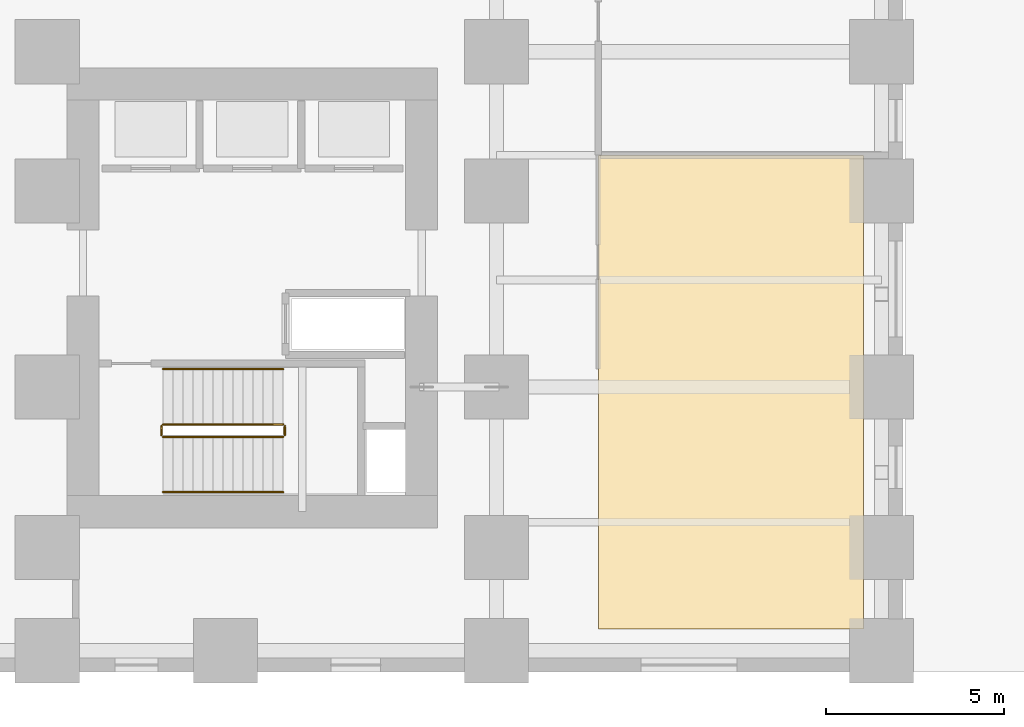
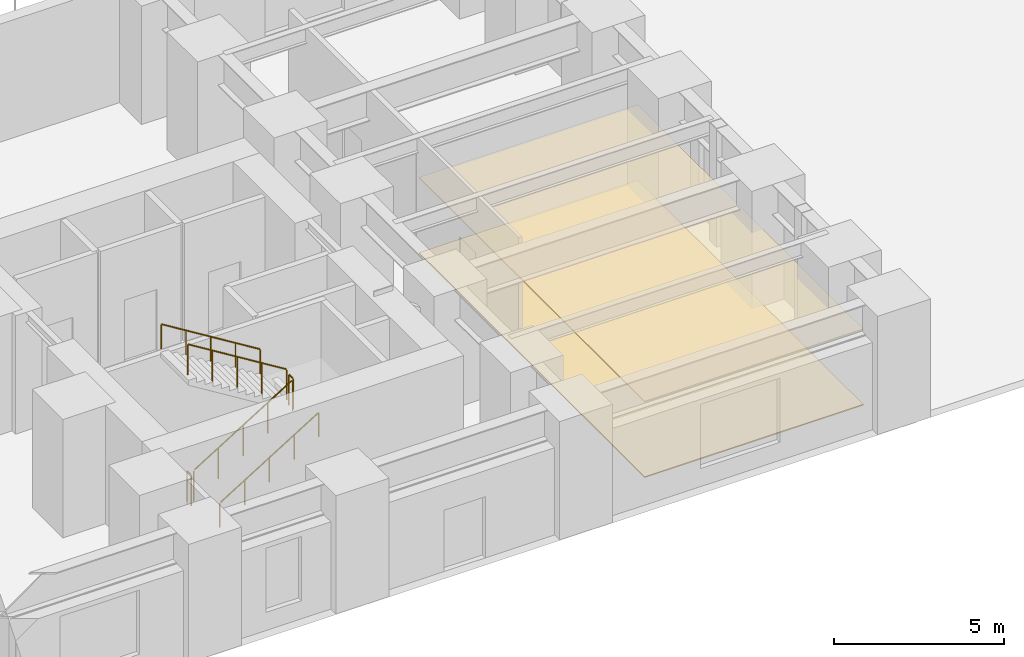
# One storey, part 20 of 23: 6 railings, 2 coverings.
"""IFC4 building model written with IfcOpenShell, lengths in metres."""

from ifc_helpers import new_model, si_unit, direction, frame, origin, origin_2d, place, context, subcontext, project, spatial, polyline, circle, outline, extrude, source, transform, mapped, material, layer, layer_set, type_object, element, save


model = new_model("IFC4")

# Units and contexts
model_context = context("Model", 3, precision=1e-05, world=origin(), true_north=direction((0.0, 1.0)))
body_context = subcontext(model_context, "Body", "Model", "MODEL_VIEW")
ifc_project = project(units=[si_unit("LENGTHUNIT", "METRE"), si_unit("AREAUNIT", "SQUARE_METRE"), si_unit("VOLUMEUNIT", "CUBIC_METRE"), si_unit("PLANEANGLEUNIT", "RADIAN"), si_unit("MASSUNIT", "GRAM", prefix="KILO")], contexts=[model_context])

# Site, building, storey
site_placement = place(None, origin())
site = spatial("IfcSite", under=ifc_project, at=site_placement, CompositionType="ELEMENT")
building_placement = place(site_placement, origin())
building = spatial("IfcBuilding", under=site, at=building_placement, Name="Kharzan Plaza Tower", CompositionType="ELEMENT")
storey_placement = place(building_placement, origin())
storey = spatial("IfcBuildingStorey", under=building, at=storey_placement, Name="L00", CompositionType="ELEMENT", Elevation=0.0)

# Coverings
ifc_material_1 = material(Name="Perforated Acoustic Mineral-Fibre Tile", Category="gypsum")
ifc_layer_1 = layer(ifc_material_1, 0.044921875)
ifc_layer_set_1 = layer_set([ifc_layer_1], Name="Perforated Acoustic Mineral-Fibre Tile")
covering_type_1 = type_object("IfcCoveringType", Name="COV-CEIL-ACT", PredefinedType="CEILING", material=ifc_layer_set_1)
covering_1_placement = place(storey_placement, frame((0.0, 0.0, 2.705078125)))
element("IfcCovering", 1, at=covering_1_placement, inside=storey, type_object=covering_type_1, Name="L00 Suspended Acoustic Ceiling RET1", PredefinedType="CEILING", context=body_context, shape_type="SweptSolid", body=[
    extrude(outline(polyline([(50.4599609375, 1.2099609375), (57.889892578125, 1.2099609375), (57.889892578125, 14.489990234375), (50.4599609375, 14.489990234375), (50.4599609375, 1.2099609375)])), origin(), (0.0, 0.0, 1.0), 0.044921875),
])
ifc_material_2 = material(Name="Honed Najran Granite Terrazzo", Category="masonry")
ifc_layer_2 = layer(ifc_material_2, 0.0400390625)
ifc_layer_set_2 = layer_set([ifc_layer_2], Name="Honed Najran Granite Terrazzo")
covering_type_2 = type_object("IfcCoveringType", Name="COV-FLOOR-STN", PredefinedType="FLOORING", material=ifc_layer_set_2)
covering_2_placement = place(storey_placement, origin())
element("IfcCovering", 2, at=covering_2_placement, inside=storey, type_object=covering_type_2, Name="L00 Honed Granite Terrazzo Flooring RET1", PredefinedType="FLOORING", context=body_context, shape_type="SweptSolid", body=[
    extrude(outline(polyline([(50.4599609375, 1.2099609375), (57.889892578125, 1.2099609375), (57.889892578125, 14.489990234375), (50.4599609375, 14.489990234375), (50.4599609375, 1.2099609375)])), origin(), (0.0, 0.0, 1.0), 0.0400390625),
])

# Railings
ifc_material_3 = material(Name="Painted Galvanized Architectural Steel", Category="steel")
ifc_layer_3 = layer(ifc_material_3, 0.074951171875)
ifc_layer_set_3 = layer_set([ifc_layer_3], Name="Painted Galvanized Architectural Steel")
railing_type_1 = type_object("IfcRailingType", Name="RL-GUARD-1120", PredefinedType="BALUSTRADE", material=ifc_layer_set_3)
shared_shape_1 = source(origin(), body_context, "Body", "SweptSolid", [
    extrude(circle(Radius=0.02392578125, at=origin_2d()), frame((0.0224609375, 0.0, 1.10986328125), z_axis=(0.850623216509, 0.0, 0.525775754039), x_axis=(0.0, 1.0, 0.0)), (0.0, 0.0, 1.0), 3.897216796875),
    extrude(circle(Radius=0.02099609375, at=origin_2d()), origin(), (0.0, 0.0, 1.0), 1.072021484375),
    extrude(circle(Radius=0.02099609375, at=origin_2d()), frame((0.840087890625, 0.0, 0.519287109375)), (0.0, 0.0, 1.0), 1.072021484375),
    extrude(circle(Radius=0.02099609375, at=origin_2d()), frame((1.68017578125, 0.0, 1.03857421875)), (0.0, 0.0, 1.0), 1.072021484375),
    extrude(circle(Radius=0.02099609375, at=origin_2d()), frame((2.52001953125, 0.0, 1.5576171875)), (0.0, 0.0, 1.0), 1.072021484375),
    extrude(circle(Radius=0.02099609375, at=origin_2d()), frame((3.360107421875, 0.0, 2.076904296875)), (0.0, 0.0, 1.0), 1.072021484375),
])
railing_1_placement = place(storey_placement, frame((38.25, 6.60009765625, 0.173095703125)))
element("IfcRailing", 3, at=railing_1_placement, inside=storey, type_object=railing_type_1, Name="L00 ST-3 stair guard 1", PredefinedType="BALUSTRADE", context=body_context, shape_type="MappedRepresentation", body=[
    mapped(shared_shape_1, transform((0.0, 0.0, 0.0), x_axis=(1.0, 0.0, 0.0), y_axis=(0.0, 1.0, 0.0), z_axis=(0.0, 0.0, 1.0))),
])
shared_shape_2 = source(origin(), body_context, "Body", "SweptSolid", [
    extrude(circle(Radius=0.02392578125, at=origin_2d()), frame((0.0, 0.0263671875, 1.09619140625), z_axis=(0.0, 1.0, 0.0), x_axis=(-1.0, 0.0, 0.0)), (0.0, 0.0, 1.0), 0.197021484375),
    extrude(circle(Radius=0.02099609375, at=origin_2d()), origin(), (0.0, 0.0, 1.0), 1.072021484375),
    extrude(circle(Radius=0.02099609375, at=origin_2d()), frame((0.0, 0.25, 0.0)), (0.0, 0.0, 1.0), 1.072021484375),
])
for number, where, name in (
    (4, (41.659912109375, 6.64990234375, 2.25), "L00 ST-3 stair guard 2"),
    (5, (38.199951171875, 6.64990234375, 0.0), "L00 ST-3 stair guard 4"),
):
    element("IfcRailing", number, at=place(storey_placement, frame(where)), inside=storey, type_object=railing_type_1, Name=name, PredefinedType="BALUSTRADE", context=body_context, shape_type="MappedRepresentation", body=[
        mapped(shared_shape_2, transform((0.0, 0.0, 0.0), x_axis=(1.0, 0.0, 0.0), y_axis=(0.0, 1.0, 0.0), z_axis=(0.0, 0.0, 1.0))),
    ])
shared_shape_3 = source(origin(), body_context, "Body", "SweptSolid", [
    extrude(circle(Radius=0.02392578125, at=origin_2d()), frame((-0.0224609375, 0.0, 1.10986328125), z_axis=(-0.850623216509, 0.0, 0.525775754039), x_axis=(0.0, -1.0, 0.0)), (0.0, 0.0, 1.0), 3.897216796875),
    extrude(circle(Radius=0.02099609375, at=origin_2d()), origin(), (0.0, 0.0, 1.0), 1.072021484375),
    extrude(circle(Radius=0.02099609375, at=origin_2d()), frame((-0.840087890625, 0.0, 0.519287109375)), (0.0, 0.0, 1.0), 1.072021484375),
    extrude(circle(Radius=0.02099609375, at=origin_2d()), frame((-1.68017578125, 0.0, 1.03857421875)), (0.0, 0.0, 1.0), 1.072021484375),
    extrude(circle(Radius=0.02099609375, at=origin_2d()), frame((-2.52001953125, 0.0, 1.5576171875)), (0.0, 0.0, 1.0), 1.072021484375),
    extrude(circle(Radius=0.02099609375, at=origin_2d()), frame((-3.360107421875, 0.0, 2.076904296875)), (0.0, 0.0, 1.0), 1.072021484375),
])
railing_2_placement = place(storey_placement, frame((41.610107421875, 6.949951171875, 2.423095703125)))
element("IfcRailing", 6, at=railing_2_placement, inside=storey, type_object=railing_type_1, Name="L00 ST-3 stair guard 3", PredefinedType="BALUSTRADE", context=body_context, shape_type="MappedRepresentation", body=[
    mapped(shared_shape_3, transform((0.0, 0.0, 0.0), x_axis=(1.0, 0.0, 0.0), y_axis=(0.0, 1.0, 0.0), z_axis=(0.0, 0.0, 1.0))),
])
ifc_material_4 = material(Name="Brushed Stainless Steel", Category="steel")
ifc_layer_4 = layer(ifc_material_4, 0.050048828125)
ifc_layer_set_4 = layer_set([ifc_layer_4], Name="Brushed Stainless Steel")
railing_type_2 = type_object("IfcRailingType", Name="RL-STAIR-HR920", PredefinedType="HANDRAIL", material=ifc_layer_set_4)
shared_shape_4 = source(origin(), body_context, "Body", "SweptSolid", [
    extrude(circle(Radius=0.02392578125, at=origin_2d()), frame((0.0224609375, 0.0, 0.8896484375), z_axis=(0.850623216509, 0.0, 0.525775754039), x_axis=(0.0, 1.0, 0.0)), (0.0, 0.0, 1.0), 3.897216796875),
    extrude(circle(Radius=0.02099609375, at=origin_2d()), origin(), (0.0, 0.0, 1.0), 0.851806640625),
    extrude(circle(Radius=0.02099609375, at=origin_2d()), frame((0.840087890625, 0.0, 0.519287109375)), (0.0, 0.0, 1.0), 0.851806640625),
    extrude(circle(Radius=0.02099609375, at=origin_2d()), frame((1.68017578125, 0.0, 1.03857421875)), (0.0, 0.0, 1.0), 0.851806640625),
    extrude(circle(Radius=0.02099609375, at=origin_2d()), frame((2.52001953125, 0.0, 1.5576171875)), (0.0, 0.0, 1.0), 0.851806640625),
    extrude(circle(Radius=0.02099609375, at=origin_2d()), frame((3.360107421875, 0.0, 2.076904296875)), (0.0, 0.0, 1.0), 0.851806640625),
])
railing_3_placement = place(storey_placement, frame((38.25, 5.050048828125, 0.173095703125)))
element("IfcRailing", 7, at=railing_3_placement, inside=storey, type_object=railing_type_2, Name="L00 ST-3 stair handrail 1", PredefinedType="HANDRAIL", context=body_context, shape_type="MappedRepresentation", body=[
    mapped(shared_shape_4, transform((0.0, 0.0, 0.0), x_axis=(1.0, 0.0, 0.0), y_axis=(0.0, 1.0, 0.0), z_axis=(0.0, 0.0, 1.0))),
])
shared_shape_5 = source(origin(), body_context, "Body", "SweptSolid", [
    extrude(circle(Radius=0.02392578125, at=origin_2d()), frame((-0.0224609375, 0.0, 0.8896484375), z_axis=(-0.850623216509, 0.0, 0.525775754039), x_axis=(0.0, -1.0, 0.0)), (0.0, 0.0, 1.0), 3.897216796875),
    extrude(circle(Radius=0.02099609375, at=origin_2d()), origin(), (0.0, 0.0, 1.0), 0.851806640625),
    extrude(circle(Radius=0.02099609375, at=origin_2d()), frame((-0.840087890625, 0.0, 0.519287109375)), (0.0, 0.0, 1.0), 0.851806640625),
    extrude(circle(Radius=0.02099609375, at=origin_2d()), frame((-1.68017578125, 0.0, 1.03857421875)), (0.0, 0.0, 1.0), 0.851806640625),
    extrude(circle(Radius=0.02099609375, at=origin_2d()), frame((-2.52001953125, 0.0, 1.5576171875)), (0.0, 0.0, 1.0), 0.851806640625),
    extrude(circle(Radius=0.02099609375, at=origin_2d()), frame((-3.360107421875, 0.0, 2.076904296875)), (0.0, 0.0, 1.0), 0.851806640625),
])
railing_4_placement = place(storey_placement, frame((41.610107421875, 8.5, 2.423095703125)))
element("IfcRailing", 8, at=railing_4_placement, inside=storey, type_object=railing_type_2, Name="L00 ST-3 stair handrail 2", PredefinedType="HANDRAIL", context=body_context, shape_type="MappedRepresentation", body=[
    mapped(shared_shape_5, transform((0.0, 0.0, 0.0), x_axis=(1.0, 0.0, 0.0), y_axis=(0.0, 1.0, 0.0), z_axis=(0.0, 0.0, 1.0))),
])

save(model, "model.ifc")
